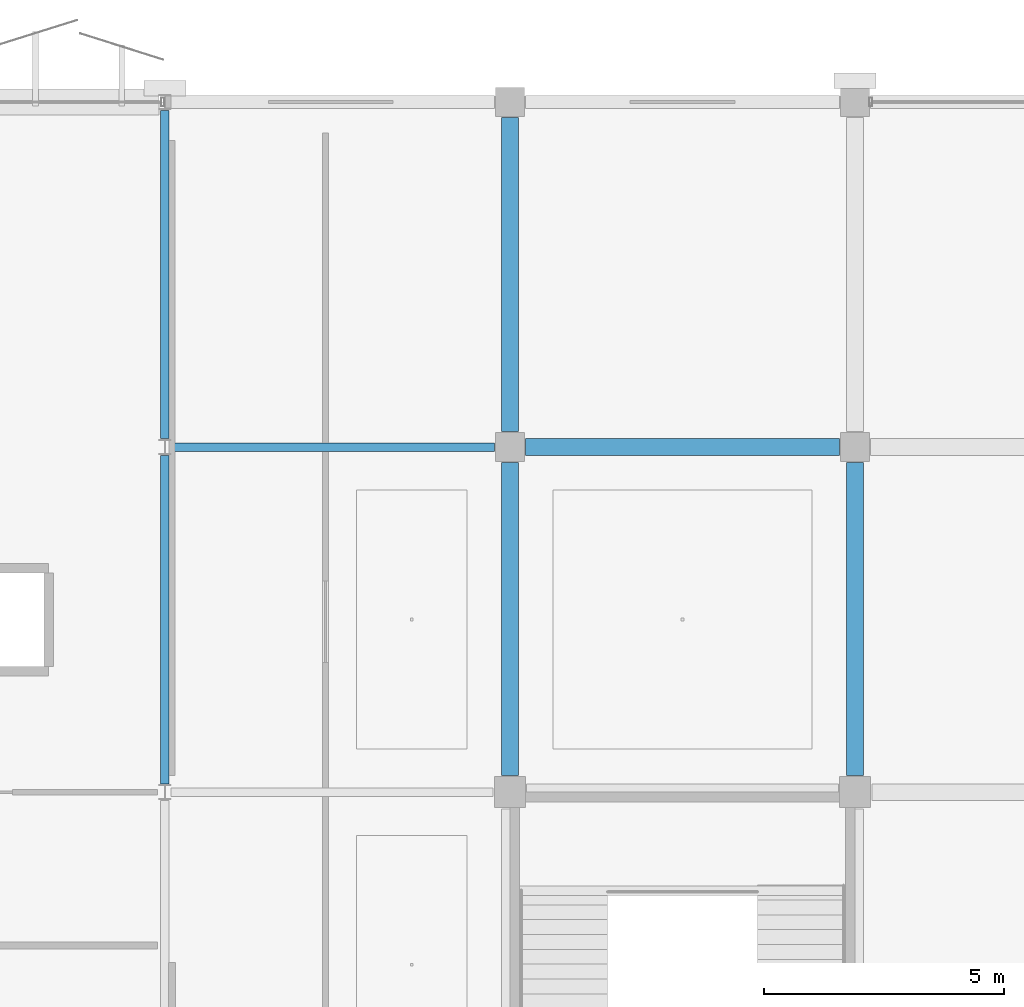
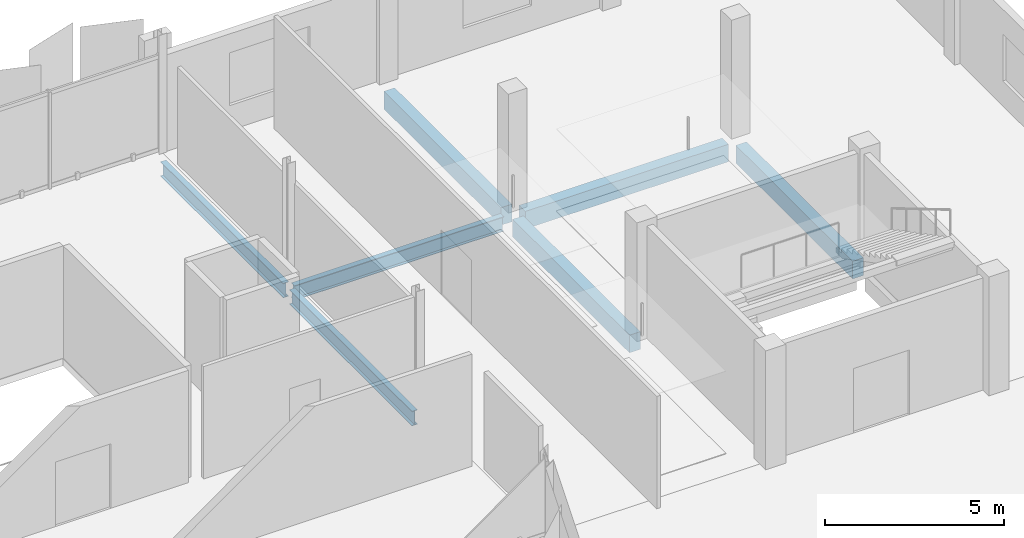
# One storey, part 43 of 77: 7 beams.
"""IFC4 building model written with IfcOpenShell, lengths in metres."""

from ifc_helpers import new_model, si_unit, direction, frame, origin, origin_2d, place, context, subcontext, project, spatial, rectangle, i_section, extrude, material, material_profile, profile_set, type_object, element, save


model = new_model("IFC4")

# Units and contexts
model_context = context("Model", 3, precision=1e-05, world=origin(), true_north=direction((0.0, 1.0)))
body_context = subcontext(model_context, "Body", "Model", "MODEL_VIEW")
ifc_project = project(units=[si_unit("LENGTHUNIT", "METRE"), si_unit("AREAUNIT", "SQUARE_METRE"), si_unit("VOLUMEUNIT", "CUBIC_METRE"), si_unit("PLANEANGLEUNIT", "RADIAN"), si_unit("MASSUNIT", "GRAM", prefix="KILO")], contexts=[model_context])

# Site, building, storey
site_placement = place(None, origin())
site = spatial("IfcSite", under=ifc_project, at=site_placement, CompositionType="ELEMENT")
building_placement = place(site_placement, origin())
building = spatial("IfcBuilding", under=site, at=building_placement, Name="Kangsadwip Square Police Headquarters", CompositionType="ELEMENT")
storey_placement = place(building_placement, frame((0.0, 0.0, 17.550048828125)))
storey = spatial("IfcBuildingStorey", under=building, at=storey_placement, Name="L04", CompositionType="ELEMENT", Elevation=17.550048828125)

# Beams
ifc_material_1 = material(Name="Concrete M35 (35 MPa)", Category="concrete")
ifc_material_profile_1 = material_profile(ifc_material_1, rectangle(XDim=0.35009765625, YDim=0.60009765625, at=origin_2d()), Name="RC BM 600X350")
ifc_profile_set_1 = profile_set([ifc_material_profile_1], Name="Concrete M35 (35 MPa)")
beam_type_1 = type_object("IfcBeamType", Name="RcBeam600x350", PredefinedType="BEAM", material=ifc_profile_set_1)
beam_1_placement = place(storey_placement, frame((151.52490234375, 108.0, -0.5400390625), z_axis=(1.0, 0.0, 0.0), x_axis=(0.0, 1.0, 0.0)))
element("IfcBeam", 1, at=beam_1_placement, inside=storey, type_object=beam_type_1, Name="Beam BM-L04-X-21-15", PredefinedType="BEAM", context=body_context, shape_type="SweptSolid", body=[
    extrude(rectangle(XDim=0.35009765625, YDim=0.60009765625, at=origin_2d()), origin(), (0.0, 0.0, 1.0), 6.550048828125),
])
beam_2_placement = place(storey_placement, frame((151.199951171875, 101.14990234375, -0.5400390625), z_axis=(0.0, 1.0, 0.0), x_axis=(-1.0, 0.0, 0.0)))
element("IfcBeam", 2, at=beam_2_placement, inside=storey, type_object=beam_type_1, Name="Beam BM-L04-Y-21-14", PredefinedType="BEAM", context=body_context, shape_type="SweptSolid", body=[
    extrude(rectangle(XDim=0.35009765625, YDim=0.60009765625, at=origin_2d()), origin(), (0.0, 0.0, 1.0), 6.525146484375),
])
beam_3_placement = place(storey_placement, frame((151.199951171875, 108.324951171875, -0.5400390625), z_axis=(0.0, 1.0, 0.0), x_axis=(-1.0, 0.0, 0.0)))
element("IfcBeam", 3, at=beam_3_placement, inside=storey, type_object=beam_type_1, Name="Beam BM-L04-Y-21-15", PredefinedType="BEAM", context=body_context, shape_type="SweptSolid", body=[
    extrude(rectangle(XDim=0.35009765625, YDim=0.60009765625, at=origin_2d()), origin(), (0.0, 0.0, 1.0), 6.550048828125),
])
beam_4_placement = place(storey_placement, frame((158.39990234375, 101.14990234375, -0.5400390625), z_axis=(0.0, 1.0, 0.0), x_axis=(-1.0, 0.0, 0.0)))
element("IfcBeam", 4, at=beam_4_placement, inside=storey, type_object=beam_type_1, Name="Beam BM-L04-Y-22-14", PredefinedType="BEAM", context=body_context, shape_type="SweptSolid", body=[
    extrude(rectangle(XDim=0.35009765625, YDim=0.60009765625, at=origin_2d()), origin(), (0.0, 0.0, 1.0), 6.525146484375),
])
ifc_material_2 = material(Name="Structural steel IS 2062 E350 (Grade 350, 350 MPa)", Category="steel")
ifc_material_profile_2 = material_profile(ifc_material_2, i_section(OverallWidth=0.179931640625, OverallDepth=0.5, WebThickness=0.01025390625, FlangeThickness=0.01708984375, at=origin_2d()), Name="ISMB 500")
ifc_profile_set_2 = profile_set([ifc_material_profile_2], Name="Structural steel IS 2062 E350 (Grade 350, 350 MPa)")
beam_type_2 = type_object("IfcBeamType", Name="SteelBeamIsmb500", PredefinedType="BEAM", material=ifc_profile_set_2)
beam_5_placement = place(storey_placement, frame((144.125, 108.0, -0.489990234375), z_axis=(1.0, 0.0, 0.0), x_axis=(0.0, 1.0, 0.0)))
element("IfcBeam", 5, at=beam_5_placement, inside=storey, type_object=beam_type_2, Name="Beam BM-L04-X-20-15", PredefinedType="BEAM", context=body_context, shape_type="SweptSolid", body=[
    extrude(i_section(OverallWidth=0.179931640625, OverallDepth=0.5, WebThickness=0.01025390625, FlangeThickness=0.01708984375, at=origin_2d()), origin(), (0.0, 0.0, 1.0), 6.75),
])
for number, where, z_axis, x_axis, name in (
    (6, (144.0, 100.97509765625, -0.489990234375), (0.0, 1.0, 0.0), (-1.0, 0.0, 0.0), "Beam BM-L04-Y-20-14"),
    (7, (144.0, 108.175048828125, -0.489990234375), (0.0, 1.0, 0.0), (-1.0, 0.0, 0.0), "Beam BM-L04-Y-20-15"),
):
    element("IfcBeam", number, at=place(storey_placement, frame(where, z_axis=z_axis, x_axis=x_axis)), inside=storey, type_object=beam_type_2, Name=name, PredefinedType="BEAM", context=body_context, shape_type="SweptSolid", body=[
        extrude(i_section(OverallWidth=0.179931640625, OverallDepth=0.5, WebThickness=0.01025390625, FlangeThickness=0.01708984375, at=origin_2d()), origin(), (0.0, 0.0, 1.0), 6.849853515625),
    ])

save(model, "model.ifc")
